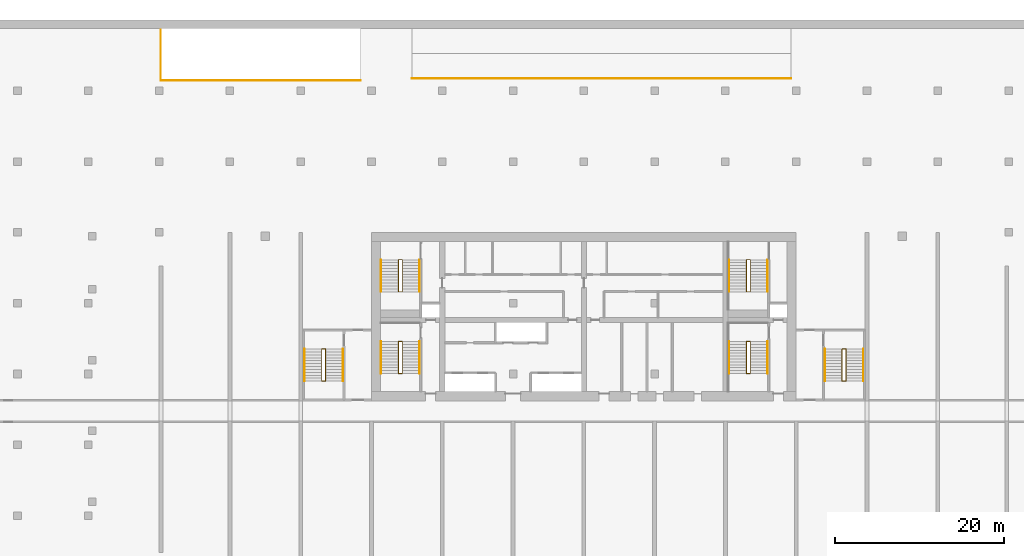
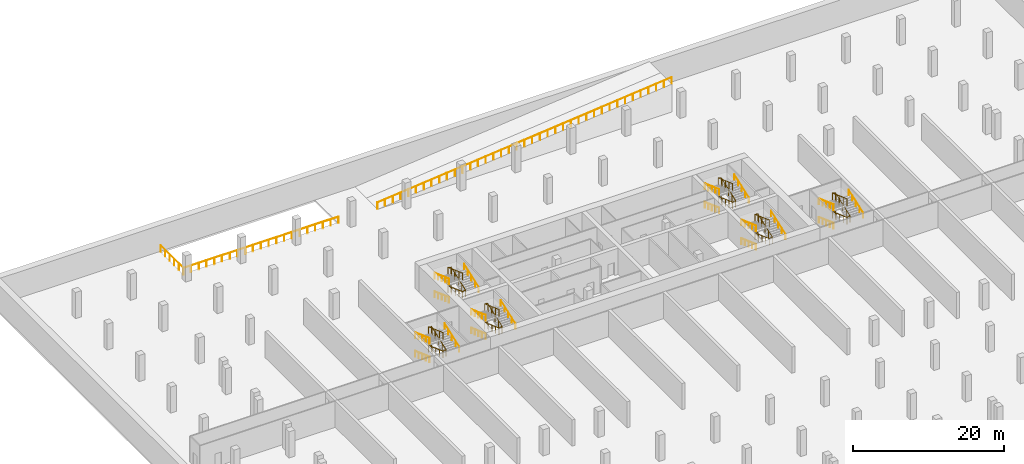
# One storey, part 13 of 13: 26 railings.
"""IFC4 building model written with IfcOpenShell, lengths in metres."""

from ifc_helpers import new_model, si_unit, direction, frame, origin, origin_2d, place, context, subcontext, project, spatial, circle, extrude, source, transform, mapped, material, type_object, element, save


model = new_model("IFC4")

# Units and contexts
model_context = context("Model", 3, precision=1e-05, world=origin(), true_north=direction((0.0, 1.0)))
body_context = subcontext(model_context, "Body", "Model", "MODEL_VIEW")
ifc_project = project(units=[si_unit("LENGTHUNIT", "METRE"), si_unit("AREAUNIT", "SQUARE_METRE"), si_unit("VOLUMEUNIT", "CUBIC_METRE"), si_unit("PLANEANGLEUNIT", "RADIAN"), si_unit("MASSUNIT", "GRAM", prefix="KILO")], contexts=[model_context])

# Site, building, storey
site_placement = place(None, origin())
site = spatial("IfcSite", under=ifc_project, at=site_placement, CompositionType="ELEMENT")
building_placement = place(site_placement, origin())
building = spatial("IfcBuilding", under=site, at=building_placement, Name="Vanashikhar Sky Hotel", CompositionType="ELEMENT")
storey_placement = place(building_placement, frame((0.0, 0.0, -9.0)))
storey = spatial("IfcBuildingStorey", under=building, at=storey_placement, Name="B2", CompositionType="ELEMENT", Elevation=-9.0)

# Railings
ifc_material = material(Name="Steel S355", Category="steel")
railing_type_1 = type_object("IfcRailingType", Name="Stair handrail 900", PredefinedType="HANDRAIL", material=ifc_material)
shared_shape_1 = source(origin(), body_context, "Body", "SweptSolid", [
    extrude(circle(Radius=0.02392578125, at=origin_2d()), frame((0.0, 0.0, 0.8759765625), z_axis=(0.0, 0.940335516113, 0.340248610777), x_axis=(-1.0, 0.0, 0.0)), (0.0, 0.0, 1.0), 4.041259765625),
    extrude(circle(Radius=0.02099609375, at=origin_2d()), origin(), (0.0, 0.0, 1.0), 0.851806640625),
    extrude(circle(Radius=0.02099609375, at=origin_2d()), frame((0.0, 0.949951171875, 0.34375)), (0.0, 0.0, 1.0), 0.851806640625),
    extrude(circle(Radius=0.02099609375, at=origin_2d()), frame((0.0, 1.89990234375, 0.6875)), (0.0, 0.0, 1.0), 0.851806640625),
    extrude(circle(Radius=0.02099609375, at=origin_2d()), frame((0.0, 2.85009765625, 1.03125)), (0.0, 0.0, 1.0), 0.851806640625),
    extrude(circle(Radius=0.02099609375, at=origin_2d()), frame((0.0, 3.800048828125, 1.375)), (0.0, 0.0, 1.0), 0.851806640625),
])
for number, where, name in (
    (1, (30.89990234375, 25.25, 1.625), "Exit stair 1 handrail"),
    (2, (72.199951171875, 25.25, 1.625), "Exit stair 2 handrail"),
    (3, (30.89990234375, 34.949951171875, 1.625), "Exit stair 5 handrail"),
    (4, (72.199951171875, 34.949951171875, 1.625), "Exit stair 6 handrail"),
):
    element("IfcRailing", number, at=place(storey_placement, frame(where)), inside=storey, type_object=railing_type_1, Name=name, PredefinedType="HANDRAIL", context=body_context, shape_type="MappedRepresentation", body=[
        mapped(shared_shape_1, transform((0.0, 0.0, 0.0), scale=1.0)),
    ])
shared_shape_2 = source(origin(), body_context, "Body", "SweptSolid", [
    extrude(circle(Radius=0.02392578125, at=origin_2d()), frame((0.0, 0.0, 0.8759765625), z_axis=(0.0, -0.940335516113, 0.340248610777), x_axis=(1.0, 0.0, 0.0)), (0.0, 0.0, 1.0), 4.041259765625),
    extrude(circle(Radius=0.02099609375, at=origin_2d()), origin(), (0.0, 0.0, 1.0), 0.851806640625),
    extrude(circle(Radius=0.02099609375, at=origin_2d()), frame((0.0, -0.949951171875, 0.34375)), (0.0, 0.0, 1.0), 0.851806640625),
    extrude(circle(Radius=0.02099609375, at=origin_2d()), frame((0.0, -1.89990234375, 0.6875)), (0.0, 0.0, 1.0), 0.851806640625),
    extrude(circle(Radius=0.02099609375, at=origin_2d()), frame((0.0, -2.85009765625, 1.03125)), (0.0, 0.0, 1.0), 0.851806640625),
    extrude(circle(Radius=0.02099609375, at=origin_2d()), frame((0.0, -3.800048828125, 1.375)), (0.0, 0.0, 1.0), 0.851806640625),
])
for number, where, name in (
    (5, (26.35009765625, 29.050048828125, 0.125), "Exit stair 1 handrail"),
    (6, (26.35009765625, 29.050048828125, 3.125), "Exit stair 1 handrail"),
    (7, (67.64990234375, 29.050048828125, 0.125), "Exit stair 2 handrail"),
    (8, (67.64990234375, 29.050048828125, 3.125), "Exit stair 2 handrail"),
    (9, (26.35009765625, 38.75, 0.125), "Exit stair 5 handrail"),
    (10, (26.35009765625, 38.75, 3.125), "Exit stair 5 handrail"),
    (11, (67.64990234375, 38.75, 0.125), "Exit stair 6 handrail"),
    (12, (67.64990234375, 38.75, 3.125), "Exit stair 6 handrail"),
):
    element("IfcRailing", number, at=place(storey_placement, frame(where)), inside=storey, type_object=railing_type_1, Name=name, PredefinedType="HANDRAIL", context=body_context, shape_type="MappedRepresentation", body=[
        mapped(shared_shape_2, transform((0.0, 0.0, 0.0), scale=1.0)),
    ])
railing_type_2 = type_object("IfcRailingType", Name="Stair guard 1100", PredefinedType="GUARDRAIL", material=ifc_material)
shared_shape_3 = source(origin(), body_context, "Body", "SweptSolid", [
    extrude(circle(Radius=0.02392578125, at=origin_2d()), frame((0.0, 0.0, 1.076171875), z_axis=(-0.963547848091, 0.0, 0.267536061943), x_axis=(0.0, -1.0, 0.0)), (0.0, 0.0, 1.0), 0.46728515625),
    extrude(circle(Radius=0.02392578125, at=origin_2d()), frame((-0.4501953125, 0.0, 1.201171875), z_axis=(0.0, -0.940335516113, 0.340248610777), x_axis=(1.0, 0.0, 0.0)), (0.0, 0.0, 1.0), 4.041259765625),
    extrude(circle(Radius=0.02392578125, at=origin_2d()), frame((-0.4501953125, -3.800048828125, 2.576171875), z_axis=(0.963547848091, 0.0, 0.267536061943), x_axis=(0.0, 1.0, 0.0)), (0.0, 0.0, 1.0), 0.46728515625),
    extrude(circle(Radius=0.02392578125, at=origin_2d()), frame((0.0, -3.800048828125, 2.701171875), z_axis=(0.0, 0.940335516113, 0.340248610777), x_axis=(-1.0, 0.0, 0.0)), (0.0, 0.0, 1.0), 4.041259765625),
    extrude(circle(Radius=0.02392578125, at=origin_2d()), frame((0.0, 0.0, 4.076171875), z_axis=(-0.963547848091, 0.0, 0.267536061943), x_axis=(0.0, -1.0, 0.0)), (0.0, 0.0, 1.0), 0.46728515625),
    extrude(circle(Radius=0.02392578125, at=origin_2d()), frame((-0.4501953125, 0.0, 4.201171875), z_axis=(0.0, -0.940335516113, 0.340248610777), x_axis=(1.0, 0.0, 0.0)), (0.0, 0.0, 1.0), 4.041259765625),
    extrude(circle(Radius=0.02099609375, at=origin_2d()), origin(), (0.0, 0.0, 1.0), 1.052001953125),
    extrude(circle(Radius=0.02099609375, at=origin_2d()), frame((-0.4501953125, 0.0, 0.125)), (0.0, 0.0, 1.0), 1.052001953125),
    extrude(circle(Radius=0.02099609375, at=origin_2d()), frame((-0.4501953125, -0.949951171875, 0.46875)), (0.0, 0.0, 1.0), 1.052001953125),
    extrude(circle(Radius=0.02099609375, at=origin_2d()), frame((-0.4501953125, -1.89990234375, 0.8125)), (0.0, 0.0, 1.0), 1.052001953125),
    extrude(circle(Radius=0.02099609375, at=origin_2d()), frame((-0.4501953125, -2.85009765625, 1.15625)), (0.0, 0.0, 1.0), 1.052001953125),
    extrude(circle(Radius=0.02099609375, at=origin_2d()), frame((-0.4501953125, -3.800048828125, 1.5)), (0.0, 0.0, 1.0), 1.052001953125),
    extrude(circle(Radius=0.02099609375, at=origin_2d()), frame((0.0, -3.800048828125, 1.625)), (0.0, 0.0, 1.0), 1.052001953125),
    extrude(circle(Radius=0.02099609375, at=origin_2d()), frame((0.0, -2.85009765625, 1.96875)), (0.0, 0.0, 1.0), 1.052001953125),
    extrude(circle(Radius=0.02099609375, at=origin_2d()), frame((0.0, -1.89990234375, 2.3125)), (0.0, 0.0, 1.0), 1.052001953125),
    extrude(circle(Radius=0.02099609375, at=origin_2d()), frame((0.0, -0.949951171875, 2.65625)), (0.0, 0.0, 1.0), 1.052001953125),
    extrude(circle(Radius=0.02099609375, at=origin_2d()), frame((0.0, 0.0, 3.0)), (0.0, 0.0, 1.0), 1.052001953125),
    extrude(circle(Radius=0.02099609375, at=origin_2d()), frame((-0.4501953125, 0.0, 3.125)), (0.0, 0.0, 1.0), 1.052001953125),
    extrude(circle(Radius=0.02099609375, at=origin_2d()), frame((-0.4501953125, -0.949951171875, 3.46875)), (0.0, 0.0, 1.0), 1.052001953125),
    extrude(circle(Radius=0.02099609375, at=origin_2d()), frame((-0.4501953125, -1.89990234375, 3.8125)), (0.0, 0.0, 1.0), 1.052001953125),
    extrude(circle(Radius=0.02099609375, at=origin_2d()), frame((-0.4501953125, -2.85009765625, 4.15625)), (0.0, 0.0, 1.0), 1.052001953125),
    extrude(circle(Radius=0.02099609375, at=origin_2d()), frame((-0.4501953125, -3.800048828125, 4.5)), (0.0, 0.0, 1.0), 1.052001953125),
])
for number, where, name in (
    (13, (28.85009765625, 29.050048828125, 0.0), "Exit stair 1 guard"),
    (14, (28.85009765625, 38.75, 0.0), "Exit stair 5 guard"),
):
    element("IfcRailing", number, at=place(storey_placement, frame(where)), inside=storey, type_object=railing_type_2, Name=name, PredefinedType="GUARDRAIL", context=body_context, shape_type="MappedRepresentation", body=[
        mapped(shared_shape_3, transform((0.0, 0.0, 0.0), scale=1.0)),
    ])
shared_shape_4 = source(origin(), body_context, "Body", "SweptSolid", [
    extrude(circle(Radius=0.02392578125, at=origin_2d()), frame((0.0, 0.0, 1.076171875), z_axis=(-0.963510419359, 0.0, 0.267670827299), x_axis=(0.0, -1.0, 0.0)), (0.0, 0.0, 1.0), 0.467041015625),
    extrude(circle(Radius=0.02392578125, at=origin_2d()), frame((-0.449951171875, 0.0, 1.201171875), z_axis=(0.0, -0.940335516113, 0.340248610777), x_axis=(1.0, 0.0, 0.0)), (0.0, 0.0, 1.0), 4.041259765625),
    extrude(circle(Radius=0.02392578125, at=origin_2d()), frame((-0.449951171875, -3.800048828125, 2.576171875), z_axis=(0.963510419359, 0.0, 0.267670827299), x_axis=(0.0, 1.0, 0.0)), (0.0, 0.0, 1.0), 0.467041015625),
    extrude(circle(Radius=0.02392578125, at=origin_2d()), frame((0.0, -3.800048828125, 2.701171875), z_axis=(0.0, 0.940335516113, 0.340248610777), x_axis=(-1.0, 0.0, 0.0)), (0.0, 0.0, 1.0), 4.041259765625),
    extrude(circle(Radius=0.02392578125, at=origin_2d()), frame((0.0, 0.0, 4.076171875), z_axis=(-0.963510419359, 0.0, 0.267670827299), x_axis=(0.0, -1.0, 0.0)), (0.0, 0.0, 1.0), 0.467041015625),
    extrude(circle(Radius=0.02392578125, at=origin_2d()), frame((-0.449951171875, 0.0, 4.201171875), z_axis=(0.0, -0.940335516113, 0.340248610777), x_axis=(1.0, 0.0, 0.0)), (0.0, 0.0, 1.0), 4.041259765625),
    extrude(circle(Radius=0.02099609375, at=origin_2d()), origin(), (0.0, 0.0, 1.0), 1.052001953125),
    extrude(circle(Radius=0.02099609375, at=origin_2d()), frame((-0.449951171875, 0.0, 0.125)), (0.0, 0.0, 1.0), 1.052001953125),
    extrude(circle(Radius=0.02099609375, at=origin_2d()), frame((-0.449951171875, -0.949951171875, 0.46875)), (0.0, 0.0, 1.0), 1.052001953125),
    extrude(circle(Radius=0.02099609375, at=origin_2d()), frame((-0.449951171875, -1.89990234375, 0.8125)), (0.0, 0.0, 1.0), 1.052001953125),
    extrude(circle(Radius=0.02099609375, at=origin_2d()), frame((-0.449951171875, -2.85009765625, 1.15625)), (0.0, 0.0, 1.0), 1.052001953125),
    extrude(circle(Radius=0.02099609375, at=origin_2d()), frame((-0.449951171875, -3.800048828125, 1.5)), (0.0, 0.0, 1.0), 1.052001953125),
    extrude(circle(Radius=0.02099609375, at=origin_2d()), frame((0.0, -3.800048828125, 1.625)), (0.0, 0.0, 1.0), 1.052001953125),
    extrude(circle(Radius=0.02099609375, at=origin_2d()), frame((0.0, -2.85009765625, 1.96875)), (0.0, 0.0, 1.0), 1.052001953125),
    extrude(circle(Radius=0.02099609375, at=origin_2d()), frame((0.0, -1.89990234375, 2.3125)), (0.0, 0.0, 1.0), 1.052001953125),
    extrude(circle(Radius=0.02099609375, at=origin_2d()), frame((0.0, -0.949951171875, 2.65625)), (0.0, 0.0, 1.0), 1.052001953125),
    extrude(circle(Radius=0.02099609375, at=origin_2d()), frame((0.0, 0.0, 3.0)), (0.0, 0.0, 1.0), 1.052001953125),
    extrude(circle(Radius=0.02099609375, at=origin_2d()), frame((-0.449951171875, 0.0, 3.125)), (0.0, 0.0, 1.0), 1.052001953125),
    extrude(circle(Radius=0.02099609375, at=origin_2d()), frame((-0.449951171875, -0.949951171875, 3.46875)), (0.0, 0.0, 1.0), 1.052001953125),
    extrude(circle(Radius=0.02099609375, at=origin_2d()), frame((-0.449951171875, -1.89990234375, 3.8125)), (0.0, 0.0, 1.0), 1.052001953125),
    extrude(circle(Radius=0.02099609375, at=origin_2d()), frame((-0.449951171875, -2.85009765625, 4.15625)), (0.0, 0.0, 1.0), 1.052001953125),
    extrude(circle(Radius=0.02099609375, at=origin_2d()), frame((-0.449951171875, -3.800048828125, 4.5)), (0.0, 0.0, 1.0), 1.052001953125),
])
for number, where, name in (
    (15, (70.14990234375, 29.050048828125, 0.0), "Exit stair 2 guard"),
    (16, (70.14990234375, 38.75, 0.0), "Exit stair 6 guard"),
):
    element("IfcRailing", number, at=place(storey_placement, frame(where)), inside=storey, type_object=railing_type_2, Name=name, PredefinedType="GUARDRAIL", context=body_context, shape_type="MappedRepresentation", body=[
        mapped(shared_shape_4, transform((0.0, 0.0, 0.0), scale=1.0)),
    ])
shared_shape_5 = source(origin(), body_context, "Body", "SweptSolid", [
    extrude(circle(Radius=0.02392578125, at=origin_2d()), frame((0.0, 0.0, 0.8759765625), z_axis=(0.0, 0.940328521504, 0.340267940961), x_axis=(-1.0, 0.0, 0.0)), (0.0, 0.0, 1.0), 4.041015625),
    extrude(circle(Radius=0.02099609375, at=origin_2d()), origin(), (0.0, 0.0, 1.0), 0.851806640625),
    extrude(circle(Radius=0.02099609375, at=origin_2d()), frame((0.0, 0.949951171875, 0.34375)), (0.0, 0.0, 1.0), 0.851806640625),
    extrude(circle(Radius=0.02099609375, at=origin_2d()), frame((0.0, 1.89990234375, 0.6875)), (0.0, 0.0, 1.0), 0.851806640625),
    extrude(circle(Radius=0.02099609375, at=origin_2d()), frame((0.0, 2.849853515625, 1.03125)), (0.0, 0.0, 1.0), 0.851806640625),
    extrude(circle(Radius=0.02099609375, at=origin_2d()), frame((0.0, 3.7998046875, 1.375)), (0.0, 0.0, 1.0), 0.851806640625),
])
for number, where, name in (
    (17, (21.800048828125, 24.35009765625, 1.625), "Exit stair 3 handrail"),
    (18, (83.550048828125, 24.35009765625, 1.625), "Exit stair 4 handrail"),
):
    element("IfcRailing", number, at=place(storey_placement, frame(where)), inside=storey, type_object=railing_type_1, Name=name, PredefinedType="HANDRAIL", context=body_context, shape_type="MappedRepresentation", body=[
        mapped(shared_shape_5, transform((0.0, 0.0, 0.0), scale=1.0)),
    ])
shared_shape_6 = source(origin(), body_context, "Body", "SweptSolid", [
    extrude(circle(Radius=0.02392578125, at=origin_2d()), frame((0.0, 0.0, 0.8759765625), z_axis=(0.0, -0.940328521504, 0.340267940961), x_axis=(1.0, 0.0, 0.0)), (0.0, 0.0, 1.0), 4.041015625),
    extrude(circle(Radius=0.02099609375, at=origin_2d()), origin(), (0.0, 0.0, 1.0), 0.851806640625),
    extrude(circle(Radius=0.02099609375, at=origin_2d()), frame((0.0, -0.949951171875, 0.34375)), (0.0, 0.0, 1.0), 0.851806640625),
    extrude(circle(Radius=0.02099609375, at=origin_2d()), frame((0.0, -1.89990234375, 0.6875)), (0.0, 0.0, 1.0), 0.851806640625),
    extrude(circle(Radius=0.02099609375, at=origin_2d()), frame((0.0, -2.849853515625, 1.03125)), (0.0, 0.0, 1.0), 0.851806640625),
    extrude(circle(Radius=0.02099609375, at=origin_2d()), frame((0.0, -3.7998046875, 1.375)), (0.0, 0.0, 1.0), 0.851806640625),
])
for number, where, name in (
    (19, (17.25, 28.14990234375, 0.125), "Exit stair 3 handrail"),
    (20, (17.25, 28.14990234375, 3.125), "Exit stair 3 handrail"),
    (21, (79.0, 28.14990234375, 0.125), "Exit stair 4 handrail"),
    (22, (79.0, 28.14990234375, 3.125), "Exit stair 4 handrail"),
):
    element("IfcRailing", number, at=place(storey_placement, frame(where)), inside=storey, type_object=railing_type_1, Name=name, PredefinedType="HANDRAIL", context=body_context, shape_type="MappedRepresentation", body=[
        mapped(shared_shape_6, transform((0.0, 0.0, 0.0), scale=1.0)),
    ])
shared_shape_7 = source(origin(), body_context, "Body", "SweptSolid", [
    extrude(circle(Radius=0.02392578125, at=origin_2d()), frame((0.0, 0.0, 1.076171875), z_axis=(-0.963510419359, 0.0, 0.267670827299), x_axis=(0.0, -1.0, 0.0)), (0.0, 0.0, 1.0), 0.467041015625),
    extrude(circle(Radius=0.02392578125, at=origin_2d()), frame((-0.449951171875, 0.0, 1.201171875), z_axis=(0.0, -0.940328521504, 0.340267940961), x_axis=(1.0, 0.0, 0.0)), (0.0, 0.0, 1.0), 4.041015625),
    extrude(circle(Radius=0.02392578125, at=origin_2d()), frame((-0.449951171875, -3.7998046875, 2.576171875), z_axis=(0.963510419359, 0.0, 0.267670827299), x_axis=(0.0, 1.0, 0.0)), (0.0, 0.0, 1.0), 0.467041015625),
    extrude(circle(Radius=0.02392578125, at=origin_2d()), frame((0.0, -3.7998046875, 2.701171875), z_axis=(0.0, 0.940328521504, 0.340267940961), x_axis=(-1.0, 0.0, 0.0)), (0.0, 0.0, 1.0), 4.041015625),
    extrude(circle(Radius=0.02392578125, at=origin_2d()), frame((0.0, 0.0, 4.076171875), z_axis=(-0.963510419359, 0.0, 0.267670827299), x_axis=(0.0, -1.0, 0.0)), (0.0, 0.0, 1.0), 0.467041015625),
    extrude(circle(Radius=0.02392578125, at=origin_2d()), frame((-0.449951171875, 0.0, 4.201171875), z_axis=(0.0, -0.940328521504, 0.340267940961), x_axis=(1.0, 0.0, 0.0)), (0.0, 0.0, 1.0), 4.041015625),
    extrude(circle(Radius=0.02099609375, at=origin_2d()), origin(), (0.0, 0.0, 1.0), 1.052001953125),
    extrude(circle(Radius=0.02099609375, at=origin_2d()), frame((-0.449951171875, 0.0, 0.125)), (0.0, 0.0, 1.0), 1.052001953125),
    extrude(circle(Radius=0.02099609375, at=origin_2d()), frame((-0.449951171875, -0.949951171875, 0.46875)), (0.0, 0.0, 1.0), 1.052001953125),
    extrude(circle(Radius=0.02099609375, at=origin_2d()), frame((-0.449951171875, -1.89990234375, 0.8125)), (0.0, 0.0, 1.0), 1.052001953125),
    extrude(circle(Radius=0.02099609375, at=origin_2d()), frame((-0.449951171875, -2.849853515625, 1.15625)), (0.0, 0.0, 1.0), 1.052001953125),
    extrude(circle(Radius=0.02099609375, at=origin_2d()), frame((-0.449951171875, -3.7998046875, 1.5)), (0.0, 0.0, 1.0), 1.052001953125),
    extrude(circle(Radius=0.02099609375, at=origin_2d()), frame((0.0, -3.7998046875, 1.625)), (0.0, 0.0, 1.0), 1.052001953125),
    extrude(circle(Radius=0.02099609375, at=origin_2d()), frame((0.0, -2.849853515625, 1.96875)), (0.0, 0.0, 1.0), 1.052001953125),
    extrude(circle(Radius=0.02099609375, at=origin_2d()), frame((0.0, -1.89990234375, 2.3125)), (0.0, 0.0, 1.0), 1.052001953125),
    extrude(circle(Radius=0.02099609375, at=origin_2d()), frame((0.0, -0.949951171875, 2.65625)), (0.0, 0.0, 1.0), 1.052001953125),
    extrude(circle(Radius=0.02099609375, at=origin_2d()), frame((0.0, 0.0, 3.0)), (0.0, 0.0, 1.0), 1.052001953125),
    extrude(circle(Radius=0.02099609375, at=origin_2d()), frame((-0.449951171875, 0.0, 3.125)), (0.0, 0.0, 1.0), 1.052001953125),
    extrude(circle(Radius=0.02099609375, at=origin_2d()), frame((-0.449951171875, -0.949951171875, 3.46875)), (0.0, 0.0, 1.0), 1.052001953125),
    extrude(circle(Radius=0.02099609375, at=origin_2d()), frame((-0.449951171875, -1.89990234375, 3.8125)), (0.0, 0.0, 1.0), 1.052001953125),
    extrude(circle(Radius=0.02099609375, at=origin_2d()), frame((-0.449951171875, -2.849853515625, 4.15625)), (0.0, 0.0, 1.0), 1.052001953125),
    extrude(circle(Radius=0.02099609375, at=origin_2d()), frame((-0.449951171875, -3.7998046875, 4.5)), (0.0, 0.0, 1.0), 1.052001953125),
])
for number, where, name in (
    (23, (19.75, 28.14990234375, 0.0), "Exit stair 3 guard"),
    (24, (81.5, 28.14990234375, 0.0), "Exit stair 4 guard"),
):
    element("IfcRailing", number, at=place(storey_placement, frame(where)), inside=storey, type_object=railing_type_2, Name=name, PredefinedType="GUARDRAIL", context=body_context, shape_type="MappedRepresentation", body=[
        mapped(shared_shape_7, transform((0.0, 0.0, 0.0), scale=1.0)),
    ])
railing_type_3 = type_object("IfcRailingType", Name="Ramp trench guard 1100 mm", PredefinedType="GUARDRAIL", material=ifc_material)
shared_shape_8 = source(origin(), body_context, "Body", "SweptSolid", [
    extrude(circle(Radius=0.02392578125, at=origin_2d()), frame((0.0, 0.0, 1.076171875), z_axis=(0.0, -1.0, 0.0), x_axis=(1.0, 0.0, 0.0)), (0.0, 0.0, 1.0), 6.0),
    extrude(circle(Radius=0.02392578125, at=origin_2d()), frame((0.0, -6.0, 1.076171875), z_axis=(1.0, 0.0, 0.0), x_axis=(0.0, 1.0, 0.0)), (0.0, 0.0, 1.0), 23.699951171875),
    extrude(circle(Radius=0.02099609375, at=origin_2d()), origin(), (0.0, 0.0, 1.0), 1.052001953125),
    extrude(circle(Radius=0.02099609375, at=origin_2d()), frame((0.0, -1.199951171875, 0.0)), (0.0, 0.0, 1.0), 1.052001953125),
    extrude(circle(Radius=0.02099609375, at=origin_2d()), frame((0.0, -2.39990234375, 0.0)), (0.0, 0.0, 1.0), 1.052001953125),
    extrude(circle(Radius=0.02099609375, at=origin_2d()), frame((0.0, -3.60009765625, 0.0)), (0.0, 0.0, 1.0), 1.052001953125),
    extrude(circle(Radius=0.02099609375, at=origin_2d()), frame((0.0, -4.800048828125, 0.0)), (0.0, 0.0, 1.0), 1.052001953125),
    extrude(circle(Radius=0.02099609375, at=origin_2d()), frame((0.0, -6.0, 0.0)), (0.0, 0.0, 1.0), 1.052001953125),
    extrude(circle(Radius=0.02099609375, at=origin_2d()), frame((1.18505859375, -6.0, 0.0)), (0.0, 0.0, 1.0), 1.052001953125),
    extrude(circle(Radius=0.02099609375, at=origin_2d()), frame((2.3701171875, -6.0, 0.0)), (0.0, 0.0, 1.0), 1.052001953125),
    extrude(circle(Radius=0.02099609375, at=origin_2d()), frame((3.554931640625, -6.0, 0.0)), (0.0, 0.0, 1.0), 1.052001953125),
    extrude(circle(Radius=0.02099609375, at=origin_2d()), frame((4.739990234375, -6.0, 0.0)), (0.0, 0.0, 1.0), 1.052001953125),
    extrude(circle(Radius=0.02099609375, at=origin_2d()), frame((5.925048828125, -6.0, 0.0)), (0.0, 0.0, 1.0), 1.052001953125),
    extrude(circle(Radius=0.02099609375, at=origin_2d()), frame((7.10986328125, -6.0, 0.0)), (0.0, 0.0, 1.0), 1.052001953125),
    extrude(circle(Radius=0.02099609375, at=origin_2d()), frame((8.294921875, -6.0, 0.0)), (0.0, 0.0, 1.0), 1.052001953125),
    extrude(circle(Radius=0.02099609375, at=origin_2d()), frame((9.47998046875, -6.0, 0.0)), (0.0, 0.0, 1.0), 1.052001953125),
    extrude(circle(Radius=0.02099609375, at=origin_2d()), frame((10.6650390625, -6.0, 0.0)), (0.0, 0.0, 1.0), 1.052001953125),
    extrude(circle(Radius=0.02099609375, at=origin_2d()), frame((11.85009765625, -6.0, 0.0)), (0.0, 0.0, 1.0), 1.052001953125),
    extrude(circle(Radius=0.02099609375, at=origin_2d()), frame((13.034912109375, -6.0, 0.0)), (0.0, 0.0, 1.0), 1.052001953125),
    extrude(circle(Radius=0.02099609375, at=origin_2d()), frame((14.219970703125, -6.0, 0.0)), (0.0, 0.0, 1.0), 1.052001953125),
    extrude(circle(Radius=0.02099609375, at=origin_2d()), frame((15.405029296875, -6.0, 0.0)), (0.0, 0.0, 1.0), 1.052001953125),
    extrude(circle(Radius=0.02099609375, at=origin_2d()), frame((16.58984375, -6.0, 0.0)), (0.0, 0.0, 1.0), 1.052001953125),
    extrude(circle(Radius=0.02099609375, at=origin_2d()), frame((17.77490234375, -6.0, 0.0)), (0.0, 0.0, 1.0), 1.052001953125),
    extrude(circle(Radius=0.02099609375, at=origin_2d()), frame((18.9599609375, -6.0, 0.0)), (0.0, 0.0, 1.0), 1.052001953125),
    extrude(circle(Radius=0.02099609375, at=origin_2d()), frame((20.14501953125, -6.0, 0.0)), (0.0, 0.0, 1.0), 1.052001953125),
    extrude(circle(Radius=0.02099609375, at=origin_2d()), frame((21.330078125, -6.0, 0.0)), (0.0, 0.0, 1.0), 1.052001953125),
    extrude(circle(Radius=0.02099609375, at=origin_2d()), frame((22.514892578125, -6.0, 0.0)), (0.0, 0.0, 1.0), 1.052001953125),
    extrude(circle(Radius=0.02099609375, at=origin_2d()), frame((23.699951171875, -6.0, 0.0)), (0.0, 0.0, 1.0), 1.052001953125),
])
railing_1_placement = place(storey_placement, frame((0.199951171875, 66.0, 0.0)))
element("IfcRailing", 25, at=railing_1_placement, inside=storey, type_object=railing_type_3, Name="Ramp trench guard", PredefinedType="GUARDRAIL", context=body_context, shape_type="MappedRepresentation", body=[
    mapped(shared_shape_8, transform((0.0, 0.0, 0.0), scale=1.0)),
])
railing_type_4 = type_object("IfcRailingType", Name="Ramp edge guard 1100 mm", PredefinedType="GUARDRAIL", material=ifc_material)
shared_shape_9 = source(origin(), body_context, "Body", "SweptSolid", [
    extrude(circle(Radius=0.02392578125, at=origin_2d()), frame((0.0, 0.0, 1.076171875), z_axis=(-0.99503719021, 0.0, -0.099503719021), x_axis=(0.0, -1.0, 0.0)), (0.0, 0.0, 1.0), 45.224365234375),
    extrude(circle(Radius=0.02099609375, at=origin_2d()), origin(), (0.0, 0.0, 1.0), 1.052001953125),
    extrude(circle(Radius=0.02099609375, at=origin_2d()), frame((-1.184326171875, 0.0, -0.118408203125)), (0.0, 0.0, 1.0), 1.052001953125),
    extrude(circle(Radius=0.02099609375, at=origin_2d()), frame((-2.368408203125, 0.0, -0.23681640625)), (0.0, 0.0, 1.0), 1.052001953125),
    extrude(circle(Radius=0.02099609375, at=origin_2d()), frame((-3.552734375, 0.0, -0.355224609375)), (0.0, 0.0, 1.0), 1.052001953125),
    extrude(circle(Radius=0.02099609375, at=origin_2d()), frame((-4.73681640625, 0.0, -0.4736328125)), (0.0, 0.0, 1.0), 1.052001953125),
    extrude(circle(Radius=0.02099609375, at=origin_2d()), frame((-5.921142578125, 0.0, -0.592041015625)), (0.0, 0.0, 1.0), 1.052001953125),
    extrude(circle(Radius=0.02099609375, at=origin_2d()), frame((-7.105224609375, 0.0, -0.71044921875)), (0.0, 0.0, 1.0), 1.052001953125),
    extrude(circle(Radius=0.02099609375, at=origin_2d()), frame((-8.28955078125, 0.0, -0.828857421875)), (0.0, 0.0, 1.0), 1.052001953125),
    extrude(circle(Radius=0.02099609375, at=origin_2d()), frame((-9.4736328125, 0.0, -0.947265625)), (0.0, 0.0, 1.0), 1.052001953125),
    extrude(circle(Radius=0.02099609375, at=origin_2d()), frame((-10.657958984375, 0.0, -1.065673828125)), (0.0, 0.0, 1.0), 1.052001953125),
    extrude(circle(Radius=0.02099609375, at=origin_2d()), frame((-11.842041015625, 0.0, -1.184326171875)), (0.0, 0.0, 1.0), 1.052001953125),
    extrude(circle(Radius=0.02099609375, at=origin_2d()), frame((-13.0263671875, 0.0, -1.302734375)), (0.0, 0.0, 1.0), 1.052001953125),
    extrude(circle(Radius=0.02099609375, at=origin_2d()), frame((-14.21044921875, 0.0, -1.421142578125)), (0.0, 0.0, 1.0), 1.052001953125),
    extrude(circle(Radius=0.02099609375, at=origin_2d()), frame((-15.394775390625, 0.0, -1.53955078125)), (0.0, 0.0, 1.0), 1.052001953125),
    extrude(circle(Radius=0.02099609375, at=origin_2d()), frame((-16.578857421875, 0.0, -1.657958984375)), (0.0, 0.0, 1.0), 1.052001953125),
    extrude(circle(Radius=0.02099609375, at=origin_2d()), frame((-17.76318359375, 0.0, -1.7763671875)), (0.0, 0.0, 1.0), 1.052001953125),
    extrude(circle(Radius=0.02099609375, at=origin_2d()), frame((-18.947265625, 0.0, -1.894775390625)), (0.0, 0.0, 1.0), 1.052001953125),
    extrude(circle(Radius=0.02099609375, at=origin_2d()), frame((-20.131591796875, 0.0, -2.01318359375)), (0.0, 0.0, 1.0), 1.052001953125),
    extrude(circle(Radius=0.02099609375, at=origin_2d()), frame((-21.315673828125, 0.0, -2.131591796875)), (0.0, 0.0, 1.0), 1.052001953125),
    extrude(circle(Radius=0.02099609375, at=origin_2d()), frame((-22.5, 0.0, -2.25)), (0.0, 0.0, 1.0), 1.052001953125),
    extrude(circle(Radius=0.02099609375, at=origin_2d()), frame((-23.684326171875, 0.0, -2.368408203125)), (0.0, 0.0, 1.0), 1.052001953125),
    extrude(circle(Radius=0.02099609375, at=origin_2d()), frame((-24.868408203125, 0.0, -2.48681640625)), (0.0, 0.0, 1.0), 1.052001953125),
    extrude(circle(Radius=0.02099609375, at=origin_2d()), frame((-26.052734375, 0.0, -2.605224609375)), (0.0, 0.0, 1.0), 1.052001953125),
    extrude(circle(Radius=0.02099609375, at=origin_2d()), frame((-27.23681640625, 0.0, -2.7236328125)), (0.0, 0.0, 1.0), 1.052001953125),
    extrude(circle(Radius=0.02099609375, at=origin_2d()), frame((-28.421142578125, 0.0, -2.842041015625)), (0.0, 0.0, 1.0), 1.052001953125),
    extrude(circle(Radius=0.02099609375, at=origin_2d()), frame((-29.605224609375, 0.0, -2.96044921875)), (0.0, 0.0, 1.0), 1.052001953125),
    extrude(circle(Radius=0.02099609375, at=origin_2d()), frame((-30.78955078125, 0.0, -3.078857421875)), (0.0, 0.0, 1.0), 1.052001953125),
    extrude(circle(Radius=0.02099609375, at=origin_2d()), frame((-31.9736328125, 0.0, -3.197265625)), (0.0, 0.0, 1.0), 1.052001953125),
    extrude(circle(Radius=0.02099609375, at=origin_2d()), frame((-33.157958984375, 0.0, -3.315673828125)), (0.0, 0.0, 1.0), 1.052001953125),
    extrude(circle(Radius=0.02099609375, at=origin_2d()), frame((-34.342041015625, 0.0, -3.434326171875)), (0.0, 0.0, 1.0), 1.052001953125),
    extrude(circle(Radius=0.02099609375, at=origin_2d()), frame((-35.5263671875, 0.0, -3.552734375)), (0.0, 0.0, 1.0), 1.052001953125),
    extrude(circle(Radius=0.02099609375, at=origin_2d()), frame((-36.71044921875, 0.0, -3.671142578125)), (0.0, 0.0, 1.0), 1.052001953125),
    extrude(circle(Radius=0.02099609375, at=origin_2d()), frame((-37.894775390625, 0.0, -3.78955078125)), (0.0, 0.0, 1.0), 1.052001953125),
    extrude(circle(Radius=0.02099609375, at=origin_2d()), frame((-39.078857421875, 0.0, -3.907958984375)), (0.0, 0.0, 1.0), 1.052001953125),
    extrude(circle(Radius=0.02099609375, at=origin_2d()), frame((-40.26318359375, 0.0, -4.0263671875)), (0.0, 0.0, 1.0), 1.052001953125),
    extrude(circle(Radius=0.02099609375, at=origin_2d()), frame((-41.447265625, 0.0, -4.144775390625)), (0.0, 0.0, 1.0), 1.052001953125),
    extrude(circle(Radius=0.02099609375, at=origin_2d()), frame((-42.631591796875, 0.0, -4.26318359375)), (0.0, 0.0, 1.0), 1.052001953125),
    extrude(circle(Radius=0.02099609375, at=origin_2d()), frame((-43.815673828125, 0.0, -4.381591796875)), (0.0, 0.0, 1.0), 1.052001953125),
    extrude(circle(Radius=0.02099609375, at=origin_2d()), frame((-45.0, 0.0, -4.5)), (0.0, 0.0, 1.0), 1.052001953125),
])
railing_2_placement = place(storey_placement, frame((75.0, 60.25, 4.5)))
element("IfcRailing", 26, at=railing_2_placement, inside=storey, type_object=railing_type_4, Name="Ramp edge guard", PredefinedType="GUARDRAIL", context=body_context, shape_type="MappedRepresentation", body=[
    mapped(shared_shape_9, transform((0.0, 0.0, 0.0), scale=1.0)),
])

save(model, "model.ifc")
